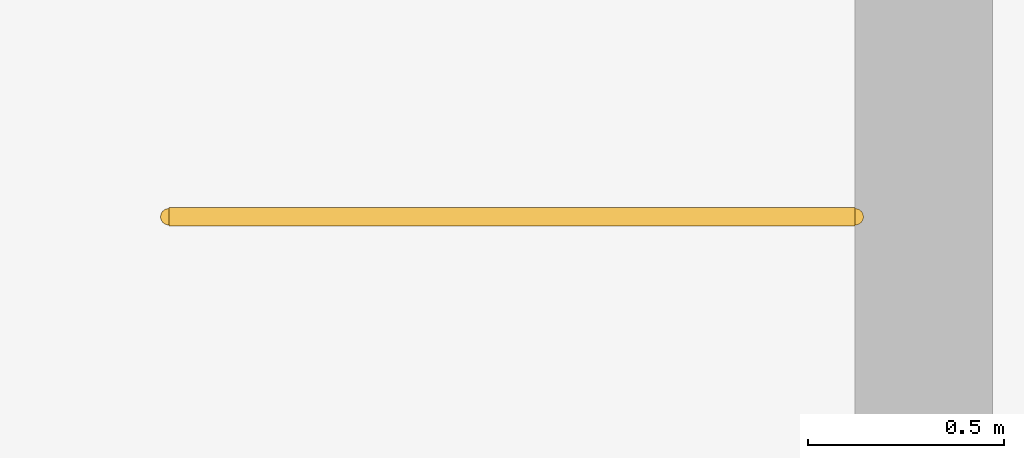
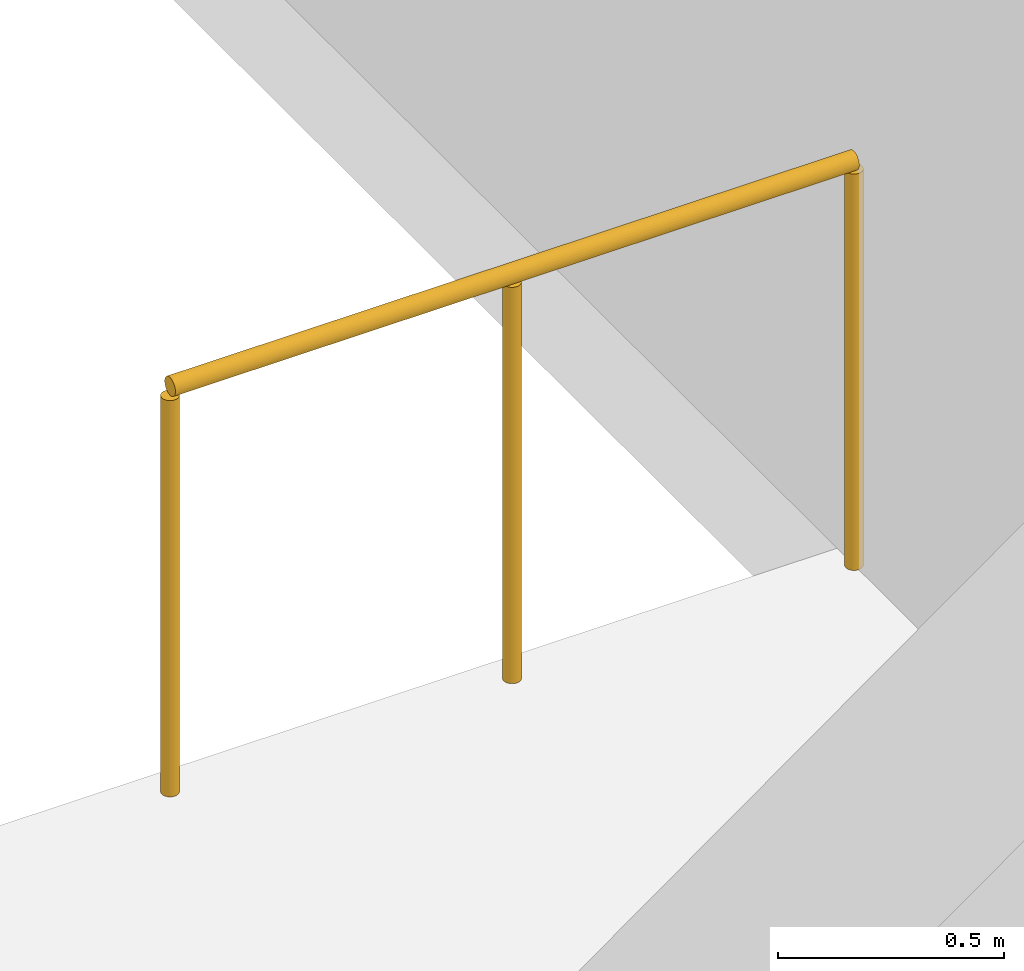
# One storey, part 44 of 49: 1 railing.
"""IFC4 building model written with IfcOpenShell, lengths in metres."""

from ifc_helpers import new_model, si_unit, direction, frame, origin, origin_2d, place, context, subcontext, project, spatial, circle, extrude, material, type_object, element, save


model = new_model("IFC4")

# Units and contexts
model_context = context("Model", 3, precision=1e-05, world=origin(), true_north=direction((0.0, 1.0)))
body_context = subcontext(model_context, "Body", "Model", "MODEL_VIEW")
ifc_project = project(units=[si_unit("LENGTHUNIT", "METRE"), si_unit("AREAUNIT", "SQUARE_METRE"), si_unit("VOLUMEUNIT", "CUBIC_METRE"), si_unit("PLANEANGLEUNIT", "RADIAN"), si_unit("MASSUNIT", "GRAM", prefix="KILO")], contexts=[model_context])

# Site, building, storey
site_placement = place(None, origin())
site = spatial("IfcSite", under=ifc_project, at=site_placement, CompositionType="ELEMENT")
building_placement = place(site_placement, origin())
building = spatial("IfcBuilding", under=site, at=building_placement, Name="Soyqirgoq Riverine Aquarium", CompositionType="ELEMENT")
storey_placement = place(building_placement, frame((0.0, 0.0, 15.0)))
storey = spatial("IfcBuildingStorey", under=building, at=storey_placement, Name="L04", CompositionType="ELEMENT", Elevation=15.0)

# Railing
ifc_material = material(Name="Painted steel infill stair-well guardrail", Category="steel")
railing_type = type_object("IfcRailingType", Name="StairWellGuard_1120", PredefinedType="GUARDRAIL", material=ifc_material)
railing_placement = place(storey_placement, frame((127.800048828125, 62.0, 0.0)))
element("IfcRailing", 1, at=railing_placement, inside=storey, type_object=railing_type, Name="L04 ST-8 top well guard 1", PredefinedType="GUARDRAIL", context=body_context, shape_type="SweptSolid", body=[
    extrude(circle(Radius=0.02392578125, at=origin_2d()), frame((0.0, 0.0, 1.09619140625), z_axis=(-1.0, 0.0, 0.0), x_axis=(0.0, -1.0, 0.0)), (0.0, 0.0, 1.0), 1.75),
    extrude(circle(Radius=0.02099609375, at=origin_2d()), origin(), (0.0, 0.0, 1.0), 1.072021484375),
    extrude(circle(Radius=0.02099609375, at=origin_2d()), frame((-0.875, 0.0, 0.0)), (0.0, 0.0, 1.0), 1.072021484375),
    extrude(circle(Radius=0.02099609375, at=origin_2d()), frame((-1.75, 0.0, 0.0)), (0.0, 0.0, 1.0), 1.072021484375),
])

save(model, "model.ifc")
